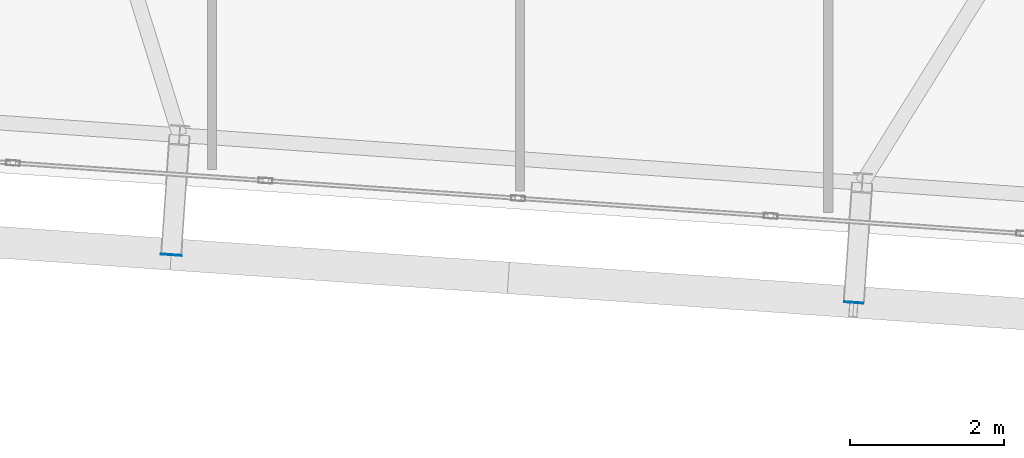
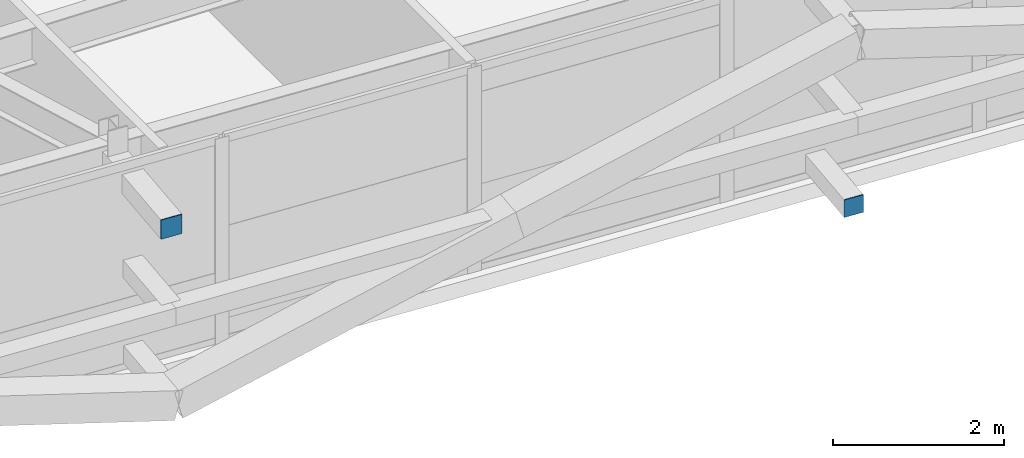
# One storey, part 34 of 47: 2 plates.
"""IFC4 building model written with IfcOpenShell, lengths in metres."""

from ifc_helpers import new_model, si_unit, direction, frame, origin, origin_2d, place, context, subcontext, project, spatial, rectangle, extrude, source, transform, mapped, material, layer, layer_set, type_object, element, save


model = new_model("IFC4")

# Units and contexts
model_context = context("Model", 3, precision=1e-05, world=origin(), true_north=direction((0.0, 1.0)))
body_context = subcontext(model_context, "Body", "Model", "MODEL_VIEW")
ifc_project = project(units=[si_unit("LENGTHUNIT", "METRE"), si_unit("AREAUNIT", "SQUARE_METRE"), si_unit("VOLUMEUNIT", "CUBIC_METRE"), si_unit("PLANEANGLEUNIT", "RADIAN"), si_unit("MASSUNIT", "GRAM", prefix="KILO")], contexts=[model_context])

# Site, building, storey
site_placement = place(None, origin())
site = spatial("IfcSite", under=ifc_project, at=site_placement, CompositionType="ELEMENT")
building_placement = place(site_placement, origin())
building = spatial("IfcBuilding", under=site, at=building_placement, Name="Taldren Reach Tower", CompositionType="ELEMENT")
storey_placement = place(building_placement, frame((0.0, 0.0, 139.300048828125)))
storey = spatial("IfcBuildingStorey", under=building, at=storey_placement, Name="L42", CompositionType="ELEMENT", Elevation=139.300048828125)

# Plates
ifc_material_1 = material(Name="Steel Gr 450 (C450L0)", Category="steel")
ifc_layer_1 = layer(ifc_material_1, 0.011962890625)
ifc_layer_set_1 = layer_set([ifc_layer_1], Name="Steel Gr 450 (C450L0)")
plate_type_1 = type_object("IfcPlateType", Name="PL-CAP-275", PredefinedType="SHEET", material=ifc_layer_set_1)
shared_shape_1 = source(origin(), body_context, "Body", "SweptSolid", [
    extrude(rectangle(XDim=0.27490234375, YDim=0.011962890625, at=origin_2d()), origin(), (0.0, 0.0, 1.0), 0.27490234375),
])
plate_1_placement = place(storey_placement, frame((29.4716796875, 2.54736328125, 2.512451171875), z_axis=(0.0, 0.0, 1.0), x_axis=(0.99756405026, -0.069756473744, 0.0)))
element("IfcPlate", 1, at=plate_1_placement, inside=storey, type_object=plate_type_1, Name="Tie strut end cap plate B3-S3 L42", PredefinedType="SHEET", context=body_context, shape_type="MappedRepresentation", body=[
    mapped(shared_shape_1, transform((0.0, 0.0, 0.0), scale=1.0)),
])
ifc_material_2 = material(Name="Steel Gr 350 (C350L0)", Category="steel")
ifc_layer_2 = layer(ifc_material_2, 0.011962890625)
ifc_layer_set_2 = layer_set([ifc_layer_2], Name="Steel Gr 350 (C350L0)")
plate_type_2 = type_object("IfcPlateType", Name="PL-CAP-250", PredefinedType="SHEET", material=ifc_layer_set_2)
shared_shape_2 = source(origin(), body_context, "Body", "SweptSolid", [
    extrude(rectangle(XDim=0.25, YDim=0.011962890625, at=origin_2d()), origin(), (0.0, 0.0, 1.0), 0.25),
])
plate_2_placement = place(storey_placement, frame((38.330078125, 1.927978515625, 0.094970703125), z_axis=(0.0, 0.0, 1.0), x_axis=(0.99756405026, -0.069756473744, 0.0)))
element("IfcPlate", 2, at=plate_2_placement, inside=storey, type_object=plate_type_2, Name="Tie strut end cap plate B3-S4 L42", PredefinedType="SHEET", context=body_context, shape_type="MappedRepresentation", body=[
    mapped(shared_shape_2, transform((0.0, 0.0, 0.0), scale=1.0)),
])

save(model, "model.ifc")
